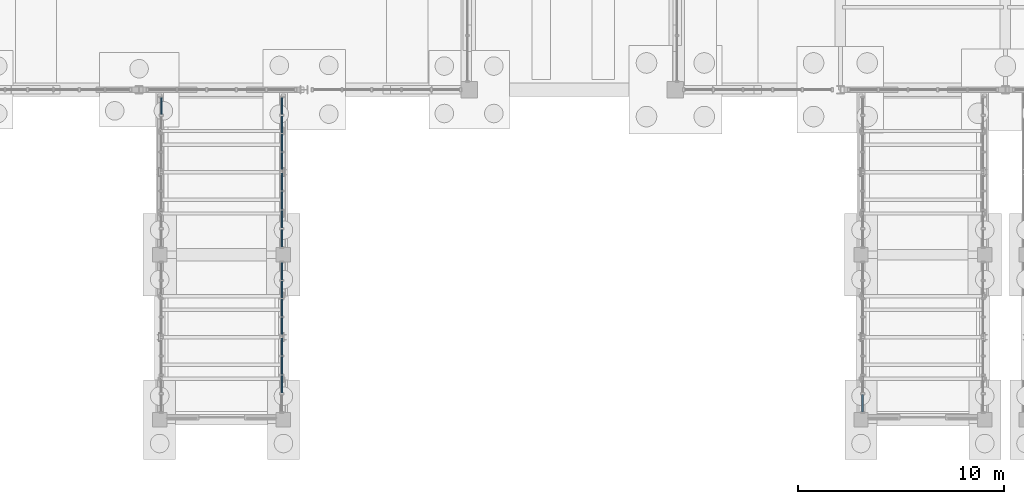
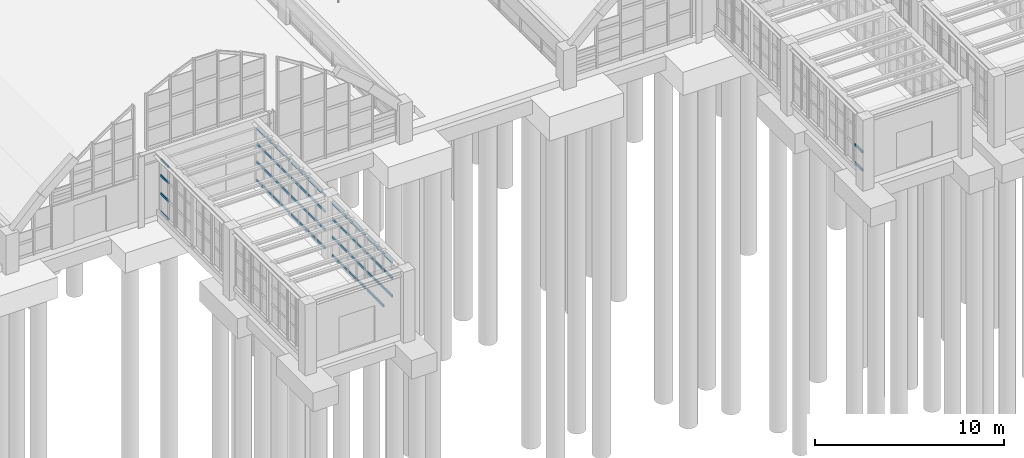
# One storey, part 72 of 129: 65 members, 6 elements without a shape of their own.
"""IFC4 building model written with IfcOpenShell, lengths in metres."""

from ifc_helpers import new_model, si_unit, direction, frame, origin, origin_2d, place, context, subcontext, project, spatial, rectangle, extrude, material, layer, layer_set, material_profile, profile_set, type_object, element, aggregate, save


model = new_model("IFC4")

# Units and contexts
model_context = context("Model", 3, precision=1e-05, world=origin(), true_north=direction((0.0, 1.0)))
body_context = subcontext(model_context, "Body", "Model", "MODEL_VIEW")
ifc_project = project(units=[si_unit("LENGTHUNIT", "METRE"), si_unit("AREAUNIT", "SQUARE_METRE"), si_unit("VOLUMEUNIT", "CUBIC_METRE"), si_unit("PLANEANGLEUNIT", "RADIAN"), si_unit("MASSUNIT", "GRAM", prefix="KILO")], contexts=[model_context])

# Site, building, storey
site_placement = place(None, origin())
site = spatial("IfcSite", under=ifc_project, at=site_placement, CompositionType="ELEMENT")
building_placement = place(site_placement, origin())
building = spatial("IfcBuilding", under=site, at=building_placement, Name="Sitalva Quay Ferry Terminal", CompositionType="ELEMENT")
storey_placement = place(building_placement, origin())
storey = spatial("IfcBuildingStorey", under=building, at=storey_placement, Name="L01", CompositionType="ELEMENT", Elevation=0.0)

# Curtain wall, members
ifc_material_1 = material(Name="Anodised Aluminium & Low-E Glazing", Category="aluminium")
ifc_layer = layer(ifc_material_1, 0.159912109375)
ifc_layer_set = layer_set([ifc_layer], Name="Anodised Aluminium & Low-E Glazing")
curtain_wall_type = type_object("IfcCurtainWallType", Name="CW_Bridge_Glazed", PredefinedType="USERDEFINED", material=ifc_layer_set)
curtain_wall_1_placement = place(storey_placement, origin())
curtain_wall_1 = element("IfcCurtainWall", 1, at=curtain_wall_1_placement, inside=storey, type_object=curtain_wall_type, Name="Boarding bridge BB1 W4 side glazing (CW-L01-036)", ObjectType="CURTAIN_WALL", PredefinedType="USERDEFINED")
ifc_material_2 = material(Name="Anodised Aluminium 6063-T6", Category="aluminium")
ifc_material_profile = material_profile(ifc_material_2, rectangle(XDim=0.074951171875, YDim=0.14990234375, at=origin_2d()), Name="ALU75x150")
ifc_profile_set = profile_set([ifc_material_profile], Name="Anodised Aluminium 6063-T6")
member_type = type_object("IfcMemberType", Name="Transom_Alu_75x140", PredefinedType="MULLION", material=ifc_profile_set)
member_1_placement = place(storey_placement, frame((17.080078125, 4.802490234375, 0.324951171875), z_axis=(0.0, 1.0, 0.0), x_axis=(-1.0, 0.0, 0.0)))
member_1 = element("IfcMember", 2, at=member_1_placement, type_object=member_type, Name="CW-L01-036-T3-0", ObjectType="TRANSOM", PredefinedType="USERDEFINED", context=body_context, shape_type="SweptSolid", body=[
    extrude(rectangle(XDim=0.074951171875, YDim=0.14990234375, at=origin_2d()), origin(), (0.0, 0.0, 1.0), 0.8076171875),
])
member_2_placement = place(storey_placement, frame((17.080078125, 4.802490234375, 1.501708984375), z_axis=(0.0, 1.0, 0.0), x_axis=(-1.0, 0.0, 0.0)))
member_2 = element("IfcMember", 3, at=member_2_placement, type_object=member_type, Name="CW-L01-036-T3-1", ObjectType="TRANSOM", PredefinedType="USERDEFINED", context=body_context, shape_type="SweptSolid", body=[
    extrude(rectangle(XDim=0.074951171875, YDim=0.14990234375, at=origin_2d()), origin(), (0.0, 0.0, 1.0), 0.8076171875),
])
member_3_placement = place(storey_placement, frame((17.080078125, 4.802490234375, 2.67822265625), z_axis=(0.0, 1.0, 0.0), x_axis=(-1.0, 0.0, 0.0)))
member_3 = element("IfcMember", 4, at=member_3_placement, type_object=member_type, Name="CW-L01-036-T3-2", ObjectType="TRANSOM", PredefinedType="USERDEFINED", context=body_context, shape_type="SweptSolid", body=[
    extrude(rectangle(XDim=0.074951171875, YDim=0.14990234375, at=origin_2d()), origin(), (0.0, 0.0, 1.0), 0.8076171875),
])
member_4_placement = place(storey_placement, frame((17.080078125, 4.802490234375, 3.705078125), z_axis=(0.0, 1.0, 0.0), x_axis=(-1.0, 0.0, 0.0)))
member_4 = element("IfcMember", 5, at=member_4_placement, type_object=member_type, Name="CW-L01-036-T3-3", ObjectType="TRANSOM", PredefinedType="USERDEFINED", context=body_context, shape_type="SweptSolid", body=[
    extrude(rectangle(XDim=0.074951171875, YDim=0.14990234375, at=origin_2d()), origin(), (0.0, 0.0, 1.0), 0.8076171875),
])
aggregate(curtain_wall_1, [member_1, member_2, member_3, member_4])

curtain_wall_2_placement = place(storey_placement, origin())
curtain_wall_2 = element("IfcCurtainWall", 6, at=curtain_wall_2_placement, inside=storey, type_object=curtain_wall_type, Name="Boarding bridge BB1 E1 side glazing (CW-L01-037)", ObjectType="CURTAIN_WALL", PredefinedType="USERDEFINED")
member_5_placement = place(storey_placement, frame((22.919921875, -8.697509765625, 1.501708984375), z_axis=(0.0, 1.0, 0.0), x_axis=(-1.0, 0.0, 0.0)))
member_5 = element("IfcMember", 7, at=member_5_placement, type_object=member_type, Name="CW-L01-037-T1-1", ObjectType="TRANSOM", PredefinedType="USERDEFINED", context=body_context, shape_type="SweptSolid", body=[
    extrude(rectangle(XDim=0.074951171875, YDim=0.14990234375, at=origin_2d()), origin(), (0.0, 0.0, 1.0), 0.83251953125),
])
member_6_placement = place(storey_placement, frame((22.919921875, -8.697509765625, 2.67822265625), z_axis=(0.0, 1.0, 0.0), x_axis=(-1.0, 0.0, 0.0)))
member_6 = element("IfcMember", 8, at=member_6_placement, type_object=member_type, Name="CW-L01-037-T1-2", ObjectType="TRANSOM", PredefinedType="USERDEFINED", context=body_context, shape_type="SweptSolid", body=[
    extrude(rectangle(XDim=0.074951171875, YDim=0.14990234375, at=origin_2d()), origin(), (0.0, 0.0, 1.0), 0.83251953125),
])
member_7_placement = place(storey_placement, frame((22.919921875, -8.697509765625, 3.705078125), z_axis=(0.0, 1.0, 0.0), x_axis=(-1.0, 0.0, 0.0)))
member_7 = element("IfcMember", 9, at=member_7_placement, type_object=member_type, Name="CW-L01-037-T1-3", ObjectType="TRANSOM", PredefinedType="USERDEFINED", context=body_context, shape_type="SweptSolid", body=[
    extrude(rectangle(XDim=0.074951171875, YDim=0.14990234375, at=origin_2d()), origin(), (0.0, 0.0, 1.0), 0.83251953125),
])
member_8_placement = place(storey_placement, frame((22.919921875, -7.784912109375, 0.324951171875), z_axis=(0.0, 1.0, 0.0), x_axis=(-1.0, 0.0, 0.0)))
member_8 = element("IfcMember", 10, at=member_8_placement, type_object=member_type, Name="CW-L01-037-T2-0", ObjectType="TRANSOM", PredefinedType="USERDEFINED", context=body_context, shape_type="SweptSolid", body=[
    extrude(rectangle(XDim=0.074951171875, YDim=0.14990234375, at=origin_2d()), origin(), (0.0, 0.0, 1.0), 0.83251953125),
])
member_9_placement = place(storey_placement, frame((22.919921875, -7.784912109375, 1.501708984375), z_axis=(0.0, 1.0, 0.0), x_axis=(-1.0, 0.0, 0.0)))
member_9 = element("IfcMember", 11, at=member_9_placement, type_object=member_type, Name="CW-L01-037-T2-1", ObjectType="TRANSOM", PredefinedType="USERDEFINED", context=body_context, shape_type="SweptSolid", body=[
    extrude(rectangle(XDim=0.074951171875, YDim=0.14990234375, at=origin_2d()), origin(), (0.0, 0.0, 1.0), 0.83251953125),
])
member_10_placement = place(storey_placement, frame((22.919921875, -7.784912109375, 2.67822265625), z_axis=(0.0, 1.0, 0.0), x_axis=(-1.0, 0.0, 0.0)))
member_10 = element("IfcMember", 12, at=member_10_placement, type_object=member_type, Name="CW-L01-037-T2-2", ObjectType="TRANSOM", PredefinedType="USERDEFINED", context=body_context, shape_type="SweptSolid", body=[
    extrude(rectangle(XDim=0.074951171875, YDim=0.14990234375, at=origin_2d()), origin(), (0.0, 0.0, 1.0), 0.83251953125),
])
member_11_placement = place(storey_placement, frame((22.919921875, -7.784912109375, 3.705078125), z_axis=(0.0, 1.0, 0.0), x_axis=(-1.0, 0.0, 0.0)))
member_11 = element("IfcMember", 13, at=member_11_placement, type_object=member_type, Name="CW-L01-037-T2-3", ObjectType="TRANSOM", PredefinedType="USERDEFINED", context=body_context, shape_type="SweptSolid", body=[
    extrude(rectangle(XDim=0.074951171875, YDim=0.14990234375, at=origin_2d()), origin(), (0.0, 0.0, 1.0), 0.83251953125),
])
member_12_placement = place(storey_placement, frame((22.919921875, -6.87255859375, 0.324951171875), z_axis=(0.0, 1.0, 0.0), x_axis=(-1.0, 0.0, 0.0)))
member_12 = element("IfcMember", 14, at=member_12_placement, type_object=member_type, Name="CW-L01-037-T3-0", ObjectType="TRANSOM", PredefinedType="USERDEFINED", context=body_context, shape_type="SweptSolid", body=[
    extrude(rectangle(XDim=0.074951171875, YDim=0.14990234375, at=origin_2d()), origin(), (0.0, 0.0, 1.0), 0.83251953125),
])
member_13_placement = place(storey_placement, frame((22.919921875, -6.87255859375, 1.501708984375), z_axis=(0.0, 1.0, 0.0), x_axis=(-1.0, 0.0, 0.0)))
member_13 = element("IfcMember", 15, at=member_13_placement, type_object=member_type, Name="CW-L01-037-T3-1", ObjectType="TRANSOM", PredefinedType="USERDEFINED", context=body_context, shape_type="SweptSolid", body=[
    extrude(rectangle(XDim=0.074951171875, YDim=0.14990234375, at=origin_2d()), origin(), (0.0, 0.0, 1.0), 0.83251953125),
])
member_14_placement = place(storey_placement, frame((22.919921875, -6.87255859375, 2.67822265625), z_axis=(0.0, 1.0, 0.0), x_axis=(-1.0, 0.0, 0.0)))
member_14 = element("IfcMember", 16, at=member_14_placement, type_object=member_type, Name="CW-L01-037-T3-2", ObjectType="TRANSOM", PredefinedType="USERDEFINED", context=body_context, shape_type="SweptSolid", body=[
    extrude(rectangle(XDim=0.074951171875, YDim=0.14990234375, at=origin_2d()), origin(), (0.0, 0.0, 1.0), 0.83251953125),
])
member_15_placement = place(storey_placement, frame((22.919921875, -6.87255859375, 3.705078125), z_axis=(0.0, 1.0, 0.0), x_axis=(-1.0, 0.0, 0.0)))
member_15 = element("IfcMember", 17, at=member_15_placement, type_object=member_type, Name="CW-L01-037-T3-3", ObjectType="TRANSOM", PredefinedType="USERDEFINED", context=body_context, shape_type="SweptSolid", body=[
    extrude(rectangle(XDim=0.074951171875, YDim=0.14990234375, at=origin_2d()), origin(), (0.0, 0.0, 1.0), 0.83251953125),
])
aggregate(curtain_wall_2, [member_5, member_6, member_7, member_8, member_9, member_10, member_11, member_12, member_13, member_14, member_15])

curtain_wall_3_placement = place(storey_placement, origin())
curtain_wall_3 = element("IfcCurtainWall", 18, at=curtain_wall_3_placement, inside=storey, type_object=curtain_wall_type, Name="Boarding bridge BB1 E2 side glazing (CW-L01-038)", ObjectType="CURTAIN_WALL", PredefinedType="USERDEFINED")
member_16_placement = place(storey_placement, frame((22.919921875, -5.860107421875, 0.324951171875), z_axis=(0.0, 1.0, 0.0), x_axis=(-1.0, 0.0, 0.0)))
member_16 = element("IfcMember", 19, at=member_16_placement, type_object=member_type, Name="CW-L01-038-T0-0", ObjectType="TRANSOM", PredefinedType="USERDEFINED", context=body_context, shape_type="SweptSolid", body=[
    extrude(rectangle(XDim=0.074951171875, YDim=0.14990234375, at=origin_2d()), origin(), (0.0, 0.0, 1.0), 0.8076171875),
])
member_17_placement = place(storey_placement, frame((22.919921875, -5.860107421875, 1.501708984375), z_axis=(0.0, 1.0, 0.0), x_axis=(-1.0, 0.0, 0.0)))
member_17 = element("IfcMember", 20, at=member_17_placement, type_object=member_type, Name="CW-L01-038-T0-1", ObjectType="TRANSOM", PredefinedType="USERDEFINED", context=body_context, shape_type="SweptSolid", body=[
    extrude(rectangle(XDim=0.074951171875, YDim=0.14990234375, at=origin_2d()), origin(), (0.0, 0.0, 1.0), 0.8076171875),
])
member_18_placement = place(storey_placement, frame((22.919921875, -5.860107421875, 2.67822265625), z_axis=(0.0, 1.0, 0.0), x_axis=(-1.0, 0.0, 0.0)))
member_18 = element("IfcMember", 21, at=member_18_placement, type_object=member_type, Name="CW-L01-038-T0-2", ObjectType="TRANSOM", PredefinedType="USERDEFINED", context=body_context, shape_type="SweptSolid", body=[
    extrude(rectangle(XDim=0.074951171875, YDim=0.14990234375, at=origin_2d()), origin(), (0.0, 0.0, 1.0), 0.8076171875),
])
member_19_placement = place(storey_placement, frame((22.919921875, -5.860107421875, 3.705078125), z_axis=(0.0, 1.0, 0.0), x_axis=(-1.0, 0.0, 0.0)))
member_19 = element("IfcMember", 22, at=member_19_placement, type_object=member_type, Name="CW-L01-038-T0-3", ObjectType="TRANSOM", PredefinedType="USERDEFINED", context=body_context, shape_type="SweptSolid", body=[
    extrude(rectangle(XDim=0.074951171875, YDim=0.14990234375, at=origin_2d()), origin(), (0.0, 0.0, 1.0), 0.8076171875),
])
member_20_placement = place(storey_placement, frame((22.919921875, -4.972412109375, 0.324951171875), z_axis=(0.0, 1.0, 0.0), x_axis=(-1.0, 0.0, 0.0)))
member_20 = element("IfcMember", 23, at=member_20_placement, type_object=member_type, Name="CW-L01-038-T1-0", ObjectType="TRANSOM", PredefinedType="USERDEFINED", context=body_context, shape_type="SweptSolid", body=[
    extrude(rectangle(XDim=0.074951171875, YDim=0.14990234375, at=origin_2d()), origin(), (0.0, 0.0, 1.0), 0.807373046875),
])
member_21_placement = place(storey_placement, frame((22.919921875, -4.972412109375, 1.501708984375), z_axis=(0.0, 1.0, 0.0), x_axis=(-1.0, 0.0, 0.0)))
member_21 = element("IfcMember", 24, at=member_21_placement, type_object=member_type, Name="CW-L01-038-T1-1", ObjectType="TRANSOM", PredefinedType="USERDEFINED", context=body_context, shape_type="SweptSolid", body=[
    extrude(rectangle(XDim=0.074951171875, YDim=0.14990234375, at=origin_2d()), origin(), (0.0, 0.0, 1.0), 0.807373046875),
])
member_22_placement = place(storey_placement, frame((22.919921875, -4.972412109375, 2.67822265625), z_axis=(0.0, 1.0, 0.0), x_axis=(-1.0, 0.0, 0.0)))
member_22 = element("IfcMember", 25, at=member_22_placement, type_object=member_type, Name="CW-L01-038-T1-2", ObjectType="TRANSOM", PredefinedType="USERDEFINED", context=body_context, shape_type="SweptSolid", body=[
    extrude(rectangle(XDim=0.074951171875, YDim=0.14990234375, at=origin_2d()), origin(), (0.0, 0.0, 1.0), 0.807373046875),
])
member_23_placement = place(storey_placement, frame((22.919921875, -4.972412109375, 3.705078125), z_axis=(0.0, 1.0, 0.0), x_axis=(-1.0, 0.0, 0.0)))
member_23 = element("IfcMember", 26, at=member_23_placement, type_object=member_type, Name="CW-L01-038-T1-3", ObjectType="TRANSOM", PredefinedType="USERDEFINED", context=body_context, shape_type="SweptSolid", body=[
    extrude(rectangle(XDim=0.074951171875, YDim=0.14990234375, at=origin_2d()), origin(), (0.0, 0.0, 1.0), 0.807373046875),
])
member_24_placement = place(storey_placement, frame((22.919921875, -4.0849609375, 0.324951171875), z_axis=(0.0, 1.0, 0.0), x_axis=(-1.0, 0.0, 0.0)))
member_24 = element("IfcMember", 27, at=member_24_placement, type_object=member_type, Name="CW-L01-038-T2-0", ObjectType="TRANSOM", PredefinedType="USERDEFINED", context=body_context, shape_type="SweptSolid", body=[
    extrude(rectangle(XDim=0.074951171875, YDim=0.14990234375, at=origin_2d()), origin(), (0.0, 0.0, 1.0), 0.807373046875),
])
member_25_placement = place(storey_placement, frame((22.919921875, -4.0849609375, 1.501708984375), z_axis=(0.0, 1.0, 0.0), x_axis=(-1.0, 0.0, 0.0)))
member_25 = element("IfcMember", 28, at=member_25_placement, type_object=member_type, Name="CW-L01-038-T2-1", ObjectType="TRANSOM", PredefinedType="USERDEFINED", context=body_context, shape_type="SweptSolid", body=[
    extrude(rectangle(XDim=0.074951171875, YDim=0.14990234375, at=origin_2d()), origin(), (0.0, 0.0, 1.0), 0.807373046875),
])
member_26_placement = place(storey_placement, frame((22.919921875, -4.0849609375, 2.67822265625), z_axis=(0.0, 1.0, 0.0), x_axis=(-1.0, 0.0, 0.0)))
member_26 = element("IfcMember", 29, at=member_26_placement, type_object=member_type, Name="CW-L01-038-T2-2", ObjectType="TRANSOM", PredefinedType="USERDEFINED", context=body_context, shape_type="SweptSolid", body=[
    extrude(rectangle(XDim=0.074951171875, YDim=0.14990234375, at=origin_2d()), origin(), (0.0, 0.0, 1.0), 0.807373046875),
])
member_27_placement = place(storey_placement, frame((22.919921875, -4.0849609375, 3.705078125), z_axis=(0.0, 1.0, 0.0), x_axis=(-1.0, 0.0, 0.0)))
member_27 = element("IfcMember", 30, at=member_27_placement, type_object=member_type, Name="CW-L01-038-T2-3", ObjectType="TRANSOM", PredefinedType="USERDEFINED", context=body_context, shape_type="SweptSolid", body=[
    extrude(rectangle(XDim=0.074951171875, YDim=0.14990234375, at=origin_2d()), origin(), (0.0, 0.0, 1.0), 0.807373046875),
])
member_28_placement = place(storey_placement, frame((22.919921875, -3.197509765625, 0.324951171875), z_axis=(0.0, 1.0, 0.0), x_axis=(-1.0, 0.0, 0.0)))
member_28 = element("IfcMember", 31, at=member_28_placement, type_object=member_type, Name="CW-L01-038-T3-0", ObjectType="TRANSOM", PredefinedType="USERDEFINED", context=body_context, shape_type="SweptSolid", body=[
    extrude(rectangle(XDim=0.074951171875, YDim=0.14990234375, at=origin_2d()), origin(), (0.0, 0.0, 1.0), 0.8076171875),
])
member_29_placement = place(storey_placement, frame((22.919921875, -3.197509765625, 1.501708984375), z_axis=(0.0, 1.0, 0.0), x_axis=(-1.0, 0.0, 0.0)))
member_29 = element("IfcMember", 32, at=member_29_placement, type_object=member_type, Name="CW-L01-038-T3-1", ObjectType="TRANSOM", PredefinedType="USERDEFINED", context=body_context, shape_type="SweptSolid", body=[
    extrude(rectangle(XDim=0.074951171875, YDim=0.14990234375, at=origin_2d()), origin(), (0.0, 0.0, 1.0), 0.8076171875),
])
member_30_placement = place(storey_placement, frame((22.919921875, -3.197509765625, 2.67822265625), z_axis=(0.0, 1.0, 0.0), x_axis=(-1.0, 0.0, 0.0)))
member_30 = element("IfcMember", 33, at=member_30_placement, type_object=member_type, Name="CW-L01-038-T3-2", ObjectType="TRANSOM", PredefinedType="USERDEFINED", context=body_context, shape_type="SweptSolid", body=[
    extrude(rectangle(XDim=0.074951171875, YDim=0.14990234375, at=origin_2d()), origin(), (0.0, 0.0, 1.0), 0.8076171875),
])
member_31_placement = place(storey_placement, frame((22.919921875, -3.197509765625, 3.705078125), z_axis=(0.0, 1.0, 0.0), x_axis=(-1.0, 0.0, 0.0)))
member_31 = element("IfcMember", 34, at=member_31_placement, type_object=member_type, Name="CW-L01-038-T3-3", ObjectType="TRANSOM", PredefinedType="USERDEFINED", context=body_context, shape_type="SweptSolid", body=[
    extrude(rectangle(XDim=0.074951171875, YDim=0.14990234375, at=origin_2d()), origin(), (0.0, 0.0, 1.0), 0.8076171875),
])
aggregate(curtain_wall_3, [member_16, member_17, member_18, member_19, member_20, member_21, member_22, member_23, member_24, member_25, member_26, member_27, member_28, member_29, member_30, member_31])

curtain_wall_4_placement = place(storey_placement, origin())
curtain_wall_4 = element("IfcCurtainWall", 35, at=curtain_wall_4_placement, inside=storey, type_object=curtain_wall_type, Name="Boarding bridge BB1 E3 side glazing (CW-L01-039)", ObjectType="CURTAIN_WALL", PredefinedType="USERDEFINED")
member_32_placement = place(storey_placement, frame((22.919921875, -1.610107421875, 0.324951171875), z_axis=(0.0, 1.0, 0.0), x_axis=(-1.0, 0.0, 0.0)))
member_32 = element("IfcMember", 36, at=member_32_placement, type_object=member_type, Name="CW-L01-039-T0-0", ObjectType="TRANSOM", PredefinedType="USERDEFINED", context=body_context, shape_type="SweptSolid", body=[
    extrude(rectangle(XDim=0.074951171875, YDim=0.14990234375, at=origin_2d()), origin(), (0.0, 0.0, 1.0), 0.83251953125),
])
member_33_placement = place(storey_placement, frame((22.919921875, -1.610107421875, 1.501708984375), z_axis=(0.0, 1.0, 0.0), x_axis=(-1.0, 0.0, 0.0)))
member_33 = element("IfcMember", 37, at=member_33_placement, type_object=member_type, Name="CW-L01-039-T0-1", ObjectType="TRANSOM", PredefinedType="USERDEFINED", context=body_context, shape_type="SweptSolid", body=[
    extrude(rectangle(XDim=0.074951171875, YDim=0.14990234375, at=origin_2d()), origin(), (0.0, 0.0, 1.0), 0.83251953125),
])
member_34_placement = place(storey_placement, frame((22.919921875, -1.610107421875, 2.67822265625), z_axis=(0.0, 1.0, 0.0), x_axis=(-1.0, 0.0, 0.0)))
member_34 = element("IfcMember", 38, at=member_34_placement, type_object=member_type, Name="CW-L01-039-T0-2", ObjectType="TRANSOM", PredefinedType="USERDEFINED", context=body_context, shape_type="SweptSolid", body=[
    extrude(rectangle(XDim=0.074951171875, YDim=0.14990234375, at=origin_2d()), origin(), (0.0, 0.0, 1.0), 0.83251953125),
])
member_35_placement = place(storey_placement, frame((22.919921875, -1.610107421875, 3.705078125), z_axis=(0.0, 1.0, 0.0), x_axis=(-1.0, 0.0, 0.0)))
member_35 = element("IfcMember", 39, at=member_35_placement, type_object=member_type, Name="CW-L01-039-T0-3", ObjectType="TRANSOM", PredefinedType="USERDEFINED", context=body_context, shape_type="SweptSolid", body=[
    extrude(rectangle(XDim=0.074951171875, YDim=0.14990234375, at=origin_2d()), origin(), (0.0, 0.0, 1.0), 0.83251953125),
])
member_36_placement = place(storey_placement, frame((22.919921875, -0.697509765625, 0.324951171875), z_axis=(0.0, 1.0, 0.0), x_axis=(-1.0, 0.0, 0.0)))
member_36 = element("IfcMember", 40, at=member_36_placement, type_object=member_type, Name="CW-L01-039-T1-0", ObjectType="TRANSOM", PredefinedType="USERDEFINED", context=body_context, shape_type="SweptSolid", body=[
    extrude(rectangle(XDim=0.074951171875, YDim=0.14990234375, at=origin_2d()), origin(), (0.0, 0.0, 1.0), 0.83251953125),
])
member_37_placement = place(storey_placement, frame((22.919921875, -0.697509765625, 1.501708984375), z_axis=(0.0, 1.0, 0.0), x_axis=(-1.0, 0.0, 0.0)))
member_37 = element("IfcMember", 41, at=member_37_placement, type_object=member_type, Name="CW-L01-039-T1-1", ObjectType="TRANSOM", PredefinedType="USERDEFINED", context=body_context, shape_type="SweptSolid", body=[
    extrude(rectangle(XDim=0.074951171875, YDim=0.14990234375, at=origin_2d()), origin(), (0.0, 0.0, 1.0), 0.83251953125),
])
member_38_placement = place(storey_placement, frame((22.919921875, -0.697509765625, 2.67822265625), z_axis=(0.0, 1.0, 0.0), x_axis=(-1.0, 0.0, 0.0)))
member_38 = element("IfcMember", 42, at=member_38_placement, type_object=member_type, Name="CW-L01-039-T1-2", ObjectType="TRANSOM", PredefinedType="USERDEFINED", context=body_context, shape_type="SweptSolid", body=[
    extrude(rectangle(XDim=0.074951171875, YDim=0.14990234375, at=origin_2d()), origin(), (0.0, 0.0, 1.0), 0.83251953125),
])
member_39_placement = place(storey_placement, frame((22.919921875, -0.697509765625, 3.705078125), z_axis=(0.0, 1.0, 0.0), x_axis=(-1.0, 0.0, 0.0)))
member_39 = element("IfcMember", 43, at=member_39_placement, type_object=member_type, Name="CW-L01-039-T1-3", ObjectType="TRANSOM", PredefinedType="USERDEFINED", context=body_context, shape_type="SweptSolid", body=[
    extrude(rectangle(XDim=0.074951171875, YDim=0.14990234375, at=origin_2d()), origin(), (0.0, 0.0, 1.0), 0.83251953125),
])
member_40_placement = place(storey_placement, frame((22.919921875, 0.215087890625, 0.324951171875), z_axis=(0.0, 1.0, 0.0), x_axis=(-1.0, 0.0, 0.0)))
member_40 = element("IfcMember", 44, at=member_40_placement, type_object=member_type, Name="CW-L01-039-T2-0", ObjectType="TRANSOM", PredefinedType="USERDEFINED", context=body_context, shape_type="SweptSolid", body=[
    extrude(rectangle(XDim=0.074951171875, YDim=0.14990234375, at=origin_2d()), origin(), (0.0, 0.0, 1.0), 0.83251953125),
])
member_41_placement = place(storey_placement, frame((22.919921875, 0.215087890625, 1.501708984375), z_axis=(0.0, 1.0, 0.0), x_axis=(-1.0, 0.0, 0.0)))
member_41 = element("IfcMember", 45, at=member_41_placement, type_object=member_type, Name="CW-L01-039-T2-1", ObjectType="TRANSOM", PredefinedType="USERDEFINED", context=body_context, shape_type="SweptSolid", body=[
    extrude(rectangle(XDim=0.074951171875, YDim=0.14990234375, at=origin_2d()), origin(), (0.0, 0.0, 1.0), 0.83251953125),
])
member_42_placement = place(storey_placement, frame((22.919921875, 0.215087890625, 2.67822265625), z_axis=(0.0, 1.0, 0.0), x_axis=(-1.0, 0.0, 0.0)))
member_42 = element("IfcMember", 46, at=member_42_placement, type_object=member_type, Name="CW-L01-039-T2-2", ObjectType="TRANSOM", PredefinedType="USERDEFINED", context=body_context, shape_type="SweptSolid", body=[
    extrude(rectangle(XDim=0.074951171875, YDim=0.14990234375, at=origin_2d()), origin(), (0.0, 0.0, 1.0), 0.83251953125),
])
member_43_placement = place(storey_placement, frame((22.919921875, 0.215087890625, 3.705078125), z_axis=(0.0, 1.0, 0.0), x_axis=(-1.0, 0.0, 0.0)))
member_43 = element("IfcMember", 47, at=member_43_placement, type_object=member_type, Name="CW-L01-039-T2-3", ObjectType="TRANSOM", PredefinedType="USERDEFINED", context=body_context, shape_type="SweptSolid", body=[
    extrude(rectangle(XDim=0.074951171875, YDim=0.14990234375, at=origin_2d()), origin(), (0.0, 0.0, 1.0), 0.83251953125),
])
member_44_placement = place(storey_placement, frame((22.919921875, 1.12744140625, 0.324951171875), z_axis=(0.0, 1.0, 0.0), x_axis=(-1.0, 0.0, 0.0)))
member_44 = element("IfcMember", 48, at=member_44_placement, type_object=member_type, Name="CW-L01-039-T3-0", ObjectType="TRANSOM", PredefinedType="USERDEFINED", context=body_context, shape_type="SweptSolid", body=[
    extrude(rectangle(XDim=0.074951171875, YDim=0.14990234375, at=origin_2d()), origin(), (0.0, 0.0, 1.0), 0.83251953125),
])
member_45_placement = place(storey_placement, frame((22.919921875, 1.12744140625, 1.501708984375), z_axis=(0.0, 1.0, 0.0), x_axis=(-1.0, 0.0, 0.0)))
member_45 = element("IfcMember", 49, at=member_45_placement, type_object=member_type, Name="CW-L01-039-T3-1", ObjectType="TRANSOM", PredefinedType="USERDEFINED", context=body_context, shape_type="SweptSolid", body=[
    extrude(rectangle(XDim=0.074951171875, YDim=0.14990234375, at=origin_2d()), origin(), (0.0, 0.0, 1.0), 0.83251953125),
])
member_46_placement = place(storey_placement, frame((22.919921875, 1.12744140625, 2.67822265625), z_axis=(0.0, 1.0, 0.0), x_axis=(-1.0, 0.0, 0.0)))
member_46 = element("IfcMember", 50, at=member_46_placement, type_object=member_type, Name="CW-L01-039-T3-2", ObjectType="TRANSOM", PredefinedType="USERDEFINED", context=body_context, shape_type="SweptSolid", body=[
    extrude(rectangle(XDim=0.074951171875, YDim=0.14990234375, at=origin_2d()), origin(), (0.0, 0.0, 1.0), 0.83251953125),
])
member_47_placement = place(storey_placement, frame((22.919921875, 1.12744140625, 3.705078125), z_axis=(0.0, 1.0, 0.0), x_axis=(-1.0, 0.0, 0.0)))
member_47 = element("IfcMember", 51, at=member_47_placement, type_object=member_type, Name="CW-L01-039-T3-3", ObjectType="TRANSOM", PredefinedType="USERDEFINED", context=body_context, shape_type="SweptSolid", body=[
    extrude(rectangle(XDim=0.074951171875, YDim=0.14990234375, at=origin_2d()), origin(), (0.0, 0.0, 1.0), 0.83251953125),
])
aggregate(curtain_wall_4, [member_32, member_33, member_34, member_35, member_36, member_37, member_38, member_39, member_40, member_41, member_42, member_43, member_44, member_45, member_46, member_47])

curtain_wall_5_placement = place(storey_placement, origin())
curtain_wall_5 = element("IfcCurtainWall", 52, at=curtain_wall_5_placement, inside=storey, type_object=curtain_wall_type, Name="Boarding bridge BB1 E4 side glazing (CW-L01-040)", ObjectType="CURTAIN_WALL", PredefinedType="USERDEFINED")
member_48_placement = place(storey_placement, frame((22.919921875, 2.139892578125, 0.324951171875), z_axis=(0.0, 1.0, 0.0), x_axis=(-1.0, 0.0, 0.0)))
member_48 = element("IfcMember", 53, at=member_48_placement, type_object=member_type, Name="CW-L01-040-T0-0", ObjectType="TRANSOM", PredefinedType="USERDEFINED", context=body_context, shape_type="SweptSolid", body=[
    extrude(rectangle(XDim=0.074951171875, YDim=0.14990234375, at=origin_2d()), origin(), (0.0, 0.0, 1.0), 0.8076171875),
])
member_49_placement = place(storey_placement, frame((22.919921875, 2.139892578125, 1.501708984375), z_axis=(0.0, 1.0, 0.0), x_axis=(-1.0, 0.0, 0.0)))
member_49 = element("IfcMember", 54, at=member_49_placement, type_object=member_type, Name="CW-L01-040-T0-1", ObjectType="TRANSOM", PredefinedType="USERDEFINED", context=body_context, shape_type="SweptSolid", body=[
    extrude(rectangle(XDim=0.074951171875, YDim=0.14990234375, at=origin_2d()), origin(), (0.0, 0.0, 1.0), 0.8076171875),
])
member_50_placement = place(storey_placement, frame((22.919921875, 2.139892578125, 2.67822265625), z_axis=(0.0, 1.0, 0.0), x_axis=(-1.0, 0.0, 0.0)))
member_50 = element("IfcMember", 55, at=member_50_placement, type_object=member_type, Name="CW-L01-040-T0-2", ObjectType="TRANSOM", PredefinedType="USERDEFINED", context=body_context, shape_type="SweptSolid", body=[
    extrude(rectangle(XDim=0.074951171875, YDim=0.14990234375, at=origin_2d()), origin(), (0.0, 0.0, 1.0), 0.8076171875),
])
member_51_placement = place(storey_placement, frame((22.919921875, 2.139892578125, 3.705078125), z_axis=(0.0, 1.0, 0.0), x_axis=(-1.0, 0.0, 0.0)))
member_51 = element("IfcMember", 56, at=member_51_placement, type_object=member_type, Name="CW-L01-040-T0-3", ObjectType="TRANSOM", PredefinedType="USERDEFINED", context=body_context, shape_type="SweptSolid", body=[
    extrude(rectangle(XDim=0.074951171875, YDim=0.14990234375, at=origin_2d()), origin(), (0.0, 0.0, 1.0), 0.8076171875),
])
member_52_placement = place(storey_placement, frame((22.919921875, 3.027587890625, 0.324951171875), z_axis=(0.0, 1.0, 0.0), x_axis=(-1.0, 0.0, 0.0)))
member_52 = element("IfcMember", 57, at=member_52_placement, type_object=member_type, Name="CW-L01-040-T1-0", ObjectType="TRANSOM", PredefinedType="USERDEFINED", context=body_context, shape_type="SweptSolid", body=[
    extrude(rectangle(XDim=0.074951171875, YDim=0.14990234375, at=origin_2d()), origin(), (0.0, 0.0, 1.0), 0.807373046875),
])
member_53_placement = place(storey_placement, frame((22.919921875, 3.027587890625, 1.501708984375), z_axis=(0.0, 1.0, 0.0), x_axis=(-1.0, 0.0, 0.0)))
member_53 = element("IfcMember", 58, at=member_53_placement, type_object=member_type, Name="CW-L01-040-T1-1", ObjectType="TRANSOM", PredefinedType="USERDEFINED", context=body_context, shape_type="SweptSolid", body=[
    extrude(rectangle(XDim=0.074951171875, YDim=0.14990234375, at=origin_2d()), origin(), (0.0, 0.0, 1.0), 0.807373046875),
])
member_54_placement = place(storey_placement, frame((22.919921875, 3.027587890625, 2.67822265625), z_axis=(0.0, 1.0, 0.0), x_axis=(-1.0, 0.0, 0.0)))
member_54 = element("IfcMember", 59, at=member_54_placement, type_object=member_type, Name="CW-L01-040-T1-2", ObjectType="TRANSOM", PredefinedType="USERDEFINED", context=body_context, shape_type="SweptSolid", body=[
    extrude(rectangle(XDim=0.074951171875, YDim=0.14990234375, at=origin_2d()), origin(), (0.0, 0.0, 1.0), 0.807373046875),
])
member_55_placement = place(storey_placement, frame((22.919921875, 3.027587890625, 3.705078125), z_axis=(0.0, 1.0, 0.0), x_axis=(-1.0, 0.0, 0.0)))
member_55 = element("IfcMember", 60, at=member_55_placement, type_object=member_type, Name="CW-L01-040-T1-3", ObjectType="TRANSOM", PredefinedType="USERDEFINED", context=body_context, shape_type="SweptSolid", body=[
    extrude(rectangle(XDim=0.074951171875, YDim=0.14990234375, at=origin_2d()), origin(), (0.0, 0.0, 1.0), 0.807373046875),
])
member_56_placement = place(storey_placement, frame((22.919921875, 3.9150390625, 0.324951171875), z_axis=(0.0, 1.0, 0.0), x_axis=(-1.0, 0.0, 0.0)))
member_56 = element("IfcMember", 61, at=member_56_placement, type_object=member_type, Name="CW-L01-040-T2-0", ObjectType="TRANSOM", PredefinedType="USERDEFINED", context=body_context, shape_type="SweptSolid", body=[
    extrude(rectangle(XDim=0.074951171875, YDim=0.14990234375, at=origin_2d()), origin(), (0.0, 0.0, 1.0), 0.807373046875),
])
member_57_placement = place(storey_placement, frame((22.919921875, 3.9150390625, 1.501708984375), z_axis=(0.0, 1.0, 0.0), x_axis=(-1.0, 0.0, 0.0)))
member_57 = element("IfcMember", 62, at=member_57_placement, type_object=member_type, Name="CW-L01-040-T2-1", ObjectType="TRANSOM", PredefinedType="USERDEFINED", context=body_context, shape_type="SweptSolid", body=[
    extrude(rectangle(XDim=0.074951171875, YDim=0.14990234375, at=origin_2d()), origin(), (0.0, 0.0, 1.0), 0.807373046875),
])
member_58_placement = place(storey_placement, frame((22.919921875, 3.9150390625, 2.67822265625), z_axis=(0.0, 1.0, 0.0), x_axis=(-1.0, 0.0, 0.0)))
member_58 = element("IfcMember", 63, at=member_58_placement, type_object=member_type, Name="CW-L01-040-T2-2", ObjectType="TRANSOM", PredefinedType="USERDEFINED", context=body_context, shape_type="SweptSolid", body=[
    extrude(rectangle(XDim=0.074951171875, YDim=0.14990234375, at=origin_2d()), origin(), (0.0, 0.0, 1.0), 0.807373046875),
])
member_59_placement = place(storey_placement, frame((22.919921875, 3.9150390625, 3.705078125), z_axis=(0.0, 1.0, 0.0), x_axis=(-1.0, 0.0, 0.0)))
member_59 = element("IfcMember", 64, at=member_59_placement, type_object=member_type, Name="CW-L01-040-T2-3", ObjectType="TRANSOM", PredefinedType="USERDEFINED", context=body_context, shape_type="SweptSolid", body=[
    extrude(rectangle(XDim=0.074951171875, YDim=0.14990234375, at=origin_2d()), origin(), (0.0, 0.0, 1.0), 0.807373046875),
])
member_60_placement = place(storey_placement, frame((22.919921875, 4.802490234375, 0.324951171875), z_axis=(0.0, 1.0, 0.0), x_axis=(-1.0, 0.0, 0.0)))
member_60 = element("IfcMember", 65, at=member_60_placement, type_object=member_type, Name="CW-L01-040-T3-0", ObjectType="TRANSOM", PredefinedType="USERDEFINED", context=body_context, shape_type="SweptSolid", body=[
    extrude(rectangle(XDim=0.074951171875, YDim=0.14990234375, at=origin_2d()), origin(), (0.0, 0.0, 1.0), 0.8076171875),
])
member_61_placement = place(storey_placement, frame((22.919921875, 4.802490234375, 1.501708984375), z_axis=(0.0, 1.0, 0.0), x_axis=(-1.0, 0.0, 0.0)))
member_61 = element("IfcMember", 66, at=member_61_placement, type_object=member_type, Name="CW-L01-040-T3-1", ObjectType="TRANSOM", PredefinedType="USERDEFINED", context=body_context, shape_type="SweptSolid", body=[
    extrude(rectangle(XDim=0.074951171875, YDim=0.14990234375, at=origin_2d()), origin(), (0.0, 0.0, 1.0), 0.8076171875),
])
member_62_placement = place(storey_placement, frame((22.919921875, 4.802490234375, 2.67822265625), z_axis=(0.0, 1.0, 0.0), x_axis=(-1.0, 0.0, 0.0)))
member_62 = element("IfcMember", 67, at=member_62_placement, type_object=member_type, Name="CW-L01-040-T3-2", ObjectType="TRANSOM", PredefinedType="USERDEFINED", context=body_context, shape_type="SweptSolid", body=[
    extrude(rectangle(XDim=0.074951171875, YDim=0.14990234375, at=origin_2d()), origin(), (0.0, 0.0, 1.0), 0.8076171875),
])
member_63_placement = place(storey_placement, frame((22.919921875, 4.802490234375, 3.705078125), z_axis=(0.0, 1.0, 0.0), x_axis=(-1.0, 0.0, 0.0)))
member_63 = element("IfcMember", 68, at=member_63_placement, type_object=member_type, Name="CW-L01-040-T3-3", ObjectType="TRANSOM", PredefinedType="USERDEFINED", context=body_context, shape_type="SweptSolid", body=[
    extrude(rectangle(XDim=0.074951171875, YDim=0.14990234375, at=origin_2d()), origin(), (0.0, 0.0, 1.0), 0.8076171875),
])
aggregate(curtain_wall_5, [member_48, member_49, member_50, member_51, member_52, member_53, member_54, member_55, member_56, member_57, member_58, member_59, member_60, member_61, member_62, member_63])

curtain_wall_6_placement = place(storey_placement, origin())
curtain_wall_6 = element("IfcCurtainWall", 69, at=curtain_wall_6_placement, inside=storey, type_object=curtain_wall_type, Name="Boarding bridge BB2 W1 side glazing (CW-L01-041)", ObjectType="CURTAIN_WALL", PredefinedType="USERDEFINED")
member_64_placement = place(storey_placement, frame((51.080078125, -9.610107421875, 0.324951171875), z_axis=(0.0, 1.0, 0.0), x_axis=(-1.0, 0.0, 0.0)))
member_64 = element("IfcMember", 70, at=member_64_placement, type_object=member_type, Name="CW-L01-041-T0-0", ObjectType="TRANSOM", PredefinedType="USERDEFINED", context=body_context, shape_type="SweptSolid", body=[
    extrude(rectangle(XDim=0.074951171875, YDim=0.14990234375, at=origin_2d()), origin(), (0.0, 0.0, 1.0), 0.83251953125),
])
member_65_placement = place(storey_placement, frame((51.080078125, -9.610107421875, 1.501708984375), z_axis=(0.0, 1.0, 0.0), x_axis=(-1.0, 0.0, 0.0)))
member_65 = element("IfcMember", 71, at=member_65_placement, type_object=member_type, Name="CW-L01-041-T0-1", ObjectType="TRANSOM", PredefinedType="USERDEFINED", context=body_context, shape_type="SweptSolid", body=[
    extrude(rectangle(XDim=0.074951171875, YDim=0.14990234375, at=origin_2d()), origin(), (0.0, 0.0, 1.0), 0.83251953125),
])
aggregate(curtain_wall_6, [member_64, member_65])

save(model, "model.ifc")
